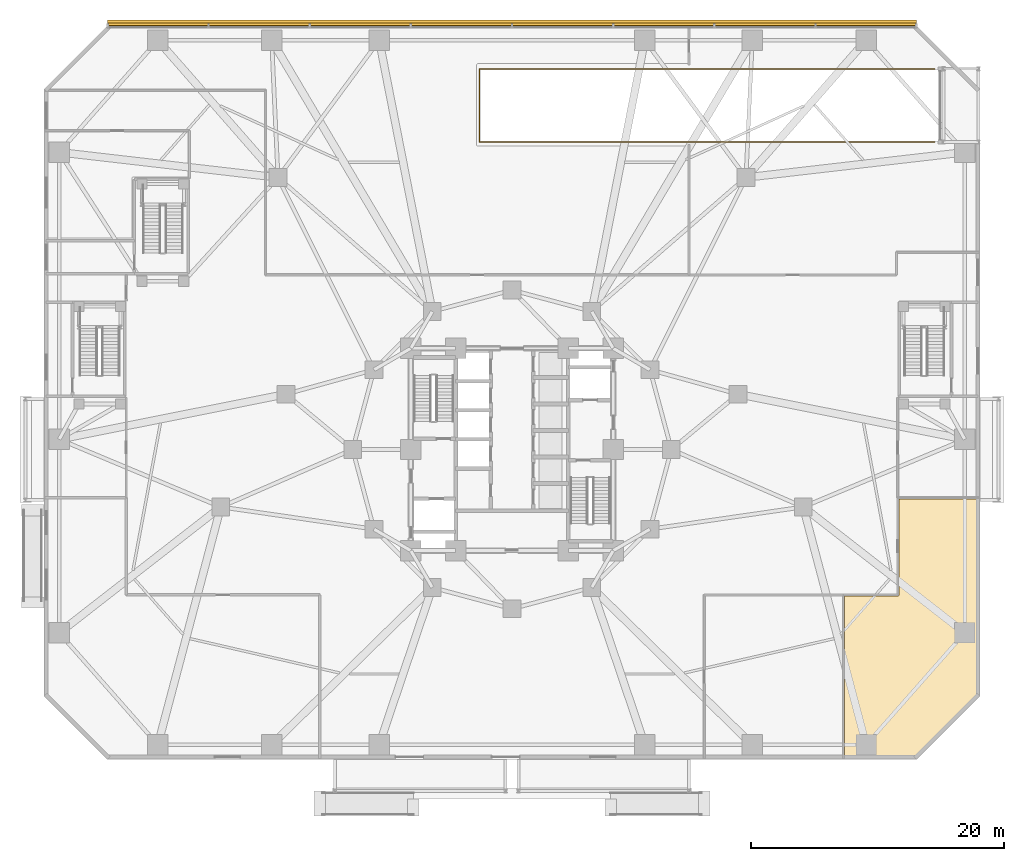
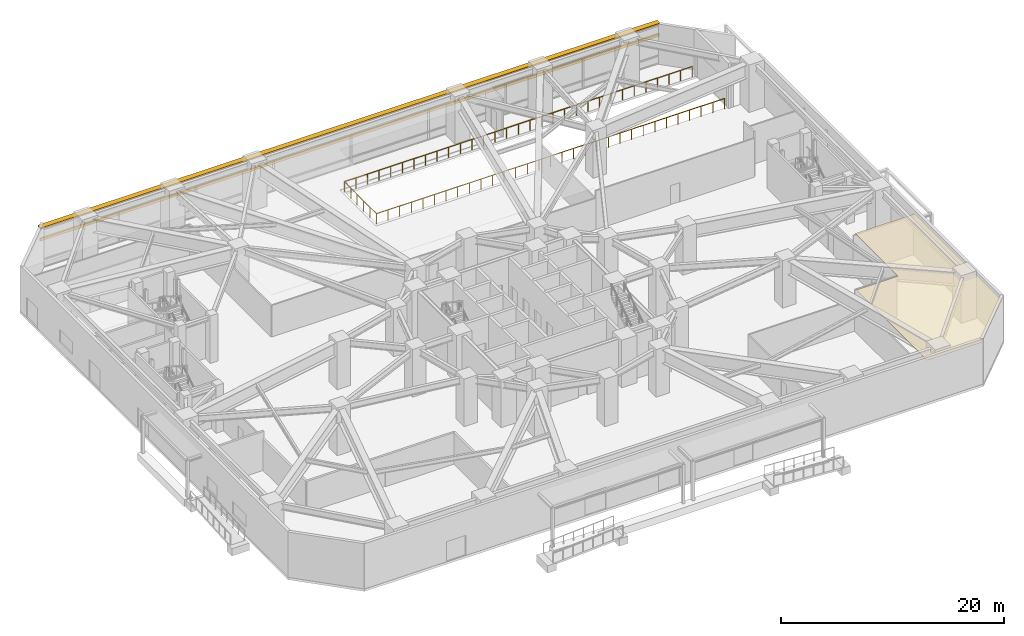
# One storey, part 28 of 30: 2 shading devices, 1 covering, 1 railing.
"""IFC4 building model written with IfcOpenShell, lengths in metres."""

import ifcopenshell
import ifcopenshell.guid

model = None  # the IFC model being written
_history = None  # IfcOwnerHistory: only IFC2X3 demands one
_inside = {}  # id of a spatial element -> (the spatial element, [elements in it])
_under = {}  # id of a project, library or spatial element -> (it, [spatial elements below it])
_declared = {}  # id of a project -> (the project, [libraries it declares])
_typed = {}  # id of a type object -> (the type object, [elements of that type])
_made_of = {}  # id of a material, layer set ... -> (it, [elements and type objects made of it])


def new_model(schema):
    """Start an empty IFC model of exactly this schema.

    Asked for "IFC4X3", IfcOpenShell would pick the latest addendum, in which some entities
    have other attributes; the version numbers below select the first issue.
    IFC2X3 requires an IfcOwnerHistory on every rooted entity: one is made here for all.
    """
    global model, _history
    if schema == "IFC4X3":
        model = ifcopenshell.file(schema_version=(4, 3, 0, 0))
    else:
        model = ifcopenshell.file(schema=schema)
    _inside.clear()
    _under.clear()
    _declared.clear()
    _typed.clear()
    _made_of.clear()
    _history = None
    if model.schema == "IFC2X3":
        org = make("IfcOrganization", Name="unknown")
        user = make(
            "IfcPersonAndOrganization",
            ThePerson=make("IfcPerson", FamilyName="unknown"),
            TheOrganization=org,
        )
        app = make(
            "IfcApplication",
            ApplicationDeveloper=org,
            Version="unknown",
            ApplicationFullName="unknown",
            ApplicationIdentifier="unknown",
        )
        _history = make(
            "IfcOwnerHistory",
            OwningUser=user,
            OwningApplication=app,
            ChangeAction="ADDED",
            CreationDate=0,
        )
    return model


def make(cls, **values):
    """One entity of the class cls with the attributes given. An attribute that is None is left unset."""
    return model.create_entity(
        cls, **{name: value for name, value in values.items() if value is not None}
    )


def rooted(cls, **values):
    """An entity with a GlobalId (a new one), such as an element, a storey or a relation."""
    return make(cls, GlobalId=ifcopenshell.guid.new(), OwnerHistory=_history, **values)


def si_unit(unit_type, name, prefix=None):
    """IfcSIUnit, for example si_unit("LENGTHUNIT", "METRE", prefix="MILLI")."""
    return make("IfcSIUnit", UnitType=unit_type, Prefix=prefix, Name=name)


def assignment(units):
    """IfcUnitAssignment: the units of a project."""
    return None if units is None else make("IfcUnitAssignment", Units=units)


def point(xyz):
    """IfcCartesianPoint."""
    return None if xyz is None else make("IfcCartesianPoint", Coordinates=xyz)


def direction(xyz):
    """IfcDirection."""
    return None if xyz is None else make("IfcDirection", DirectionRatios=xyz)


def frame(location, z_axis=None, x_axis=None):
    """IfcAxis2Placement3D, a coordinate frame: its origin and axes. An axis left out is left unset."""
    return make(
        "IfcAxis2Placement3D",
        Location=point(location),
        Axis=direction(z_axis),
        RefDirection=direction(x_axis),
    )


def frame_2d(location, x_axis=None):
    """IfcAxis2Placement2D, a coordinate frame in the plane: its origin and x axis."""
    return make(
        "IfcAxis2Placement2D", Location=point(location), RefDirection=direction(x_axis)
    )


def origin():
    """The frame at (0, 0, 0) with its axes left unset."""
    return frame((0.0, 0.0, 0.0))


def origin_2d():
    """The frame at (0, 0) in the plane with its x axis left unset."""
    return frame_2d((0.0, 0.0))


def place(relative_to, where):
    """IfcLocalPlacement: puts the frame where relative to a parent placement (None: the world)."""
    return make(
        "IfcLocalPlacement", PlacementRelTo=relative_to, RelativePlacement=where
    )


def context(
    kind, dimensions, precision=None, world=None, true_north=None, identifier=None
):
    """IfcGeometricRepresentationContext, for example the 3D "Model" context."""
    return make(
        "IfcGeometricRepresentationContext",
        ContextIdentifier=identifier,
        ContextType=kind,
        CoordinateSpaceDimension=dimensions,
        Precision=precision,
        WorldCoordinateSystem=world,
        TrueNorth=true_north,
    )


def subcontext(parent, identifier, kind, view, scale=None):
    """IfcGeometricRepresentationSubContext, for example "Body" below "Model"."""
    return make(
        "IfcGeometricRepresentationSubContext",
        ContextIdentifier=identifier,
        ContextType=kind,
        ParentContext=parent,
        TargetScale=scale,
        TargetView=view,
    )


def project(units=None, contexts=None):
    """IfcProject with its units and contexts."""
    return rooted(
        "IfcProject",
        Name="project",
        RepresentationContexts=contexts,
        UnitsInContext=assignment(units),
    )


def spatial(cls, under=None, at=None, **own):
    """A site, building, storey or space (cls), placed at a placement, below another one or the project."""
    s = rooted(cls, ObjectPlacement=at, **own)
    if under is not None:
        _under.setdefault(under.id(), (under, []))[1].append(s)
    return s


def polyline(points):
    """IfcPolyline through the points."""
    return make("IfcPolyline", Points=[point(p) for p in points])


def profile(cls, at=None, kind="AREA", **sizes):
    """A parametric profile (cls). Its sizes go by their IFC names, for example OverallWidth=200.0."""
    return make(cls, ProfileType=kind, Position=at, **sizes)


def rectangle(**sizes):
    """IfcRectangleProfileDef."""
    return profile("IfcRectangleProfileDef", **sizes)


def circle(**sizes):
    """IfcCircleProfileDef."""
    return profile("IfcCircleProfileDef", **sizes)


def outline(outer, holes=None, kind="AREA"):
    """IfcArbitraryClosedProfileDef: a profile drawn as a closed curve; with holes, ...WithVoids."""
    if holes is None:
        return make("IfcArbitraryClosedProfileDef", ProfileType=kind, OuterCurve=outer)
    return make(
        "IfcArbitraryProfileDefWithVoids",
        ProfileType=kind,
        OuterCurve=outer,
        InnerCurves=holes,
    )


def extrude(swept, where, along, depth):
    """IfcExtrudedAreaSolid: the profile swept, set in the frame where, extruded along a direction by depth."""
    return make(
        "IfcExtrudedAreaSolid",
        SweptArea=swept,
        Position=where,
        ExtrudedDirection=direction(along),
        Depth=depth,
    )


def shape(context_of_items, identifier, shape_type, items):
    """IfcShapeRepresentation: the items that make up one representation, for example the "Body"."""
    return make(
        "IfcShapeRepresentation",
        ContextOfItems=context_of_items,
        RepresentationIdentifier=identifier,
        RepresentationType=shape_type,
        Items=items,
    )


def material(Name=None, Category=None):
    """IfcMaterial."""
    return make("IfcMaterial", Name=Name, Category=Category)


def layer(
    of_material, thickness, ventilated=None, Name=None, Category=None, Priority=None
):
    """IfcMaterialLayer: one layer of a wall or slab, of a material (None: an air gap)."""
    return make(
        "IfcMaterialLayer",
        Material=of_material,
        LayerThickness=thickness,
        IsVentilated=ventilated,
        Name=Name,
        Category=Category,
        Priority=Priority,
    )


def layer_set(layers, Name=None):
    """IfcMaterialLayerSet."""
    return make("IfcMaterialLayerSet", MaterialLayers=layers, LayerSetName=Name)


def made_of(thing, what):
    """Note that an element or type object is made of a material, layer set ...; save() writes the relation."""
    if what is not None:
        _made_of.setdefault(what.id(), (what, []))[1].append(thing)
    return thing


def type_object(cls, material=None, **own):
    """A type object (cls), such as IfcWallType, which elements share."""
    return made_of(rooted(cls, **own), material)


def element(
    cls,
    number,
    at=None,
    inside=None,
    cuts=None,
    type_object=None,
    material=None,
    context=None,
    identifier="Body",
    shape_type=None,
    held_by="IfcProductDefinitionShape",
    body=None,
    shapes=None,
    **own,
):
    """One element of the class cls, such as IfcWall. Its Tag is "e" and its number.

    at: its placement. inside: the storey or other place that contains it. cuts: it is an
    opening in that element (IfcRelVoidsElement). A single representation is given by context,
    identifier, shape_type and body (its items); several are given by shapes. held_by: the class
    of the entity that holds the representations. save() writes the other relations.
    """
    e = rooted(cls, Tag="e%d" % number, ObjectPlacement=at, **own)
    if body is not None:
        shapes = [shape(context, identifier, shape_type, body)]
    if shapes is not None:
        e.Representation = make(held_by, Representations=shapes)
    if inside is not None:
        _inside.setdefault(inside.id(), (inside, []))[1].append(e)
    if cuts is not None:
        rooted(
            "IfcRelVoidsElement", RelatingBuildingElement=cuts, RelatedOpeningElement=e
        )
    if type_object is not None:
        _typed.setdefault(type_object.id(), (type_object, []))[1].append(e)
    return made_of(e, material)


def aggregate(whole, parts):
    """IfcRelAggregates: a whole, such as a stair, and the parts it consists of."""
    return rooted("IfcRelAggregates", RelatingObject=whole, RelatedObjects=parts)


def save(model, path):
    """Write the relations noted so far, then the file.

    IfcRelAggregates (storeys below a building ...), IfcRelContainedInSpatialStructure (elements
    in a storey), IfcRelDefinesByType, IfcRelAssociatesMaterial and IfcRelDeclares: one each for
    every whole, place, type object, material and project.
    """
    for whole, parts in _under.values():
        aggregate(whole, parts)
    for where, things in _inside.values():
        rooted(
            "IfcRelContainedInSpatialStructure",
            RelatedElements=things,
            RelatingStructure=where,
        )
    for kind, things in _typed.values():
        rooted("IfcRelDefinesByType", RelatedObjects=things, RelatingType=kind)
    for what, things in _made_of.values():
        rooted("IfcRelAssociatesMaterial", RelatedObjects=things, RelatingMaterial=what)
    for by, libraries in _declared.values():
        rooted("IfcRelDeclares", RelatingContext=by, RelatedDefinitions=libraries)
    model.write(path)


model = new_model("IFC4")

# Units and contexts
model_context = context("Model", 3, precision=1e-05, world=origin(), true_north=direction((0.0, 1.0)))
body_context = subcontext(model_context, "Body", "Model", "MODEL_VIEW")
ifc_project = project(units=[si_unit("LENGTHUNIT", "METRE"), si_unit("AREAUNIT", "SQUARE_METRE"), si_unit("VOLUMEUNIT", "CUBIC_METRE"), si_unit("PLANEANGLEUNIT", "RADIAN"), si_unit("MASSUNIT", "GRAM", prefix="KILO")], contexts=[model_context])

# Site, building, storey
site_placement = place(None, origin())
site = spatial("IfcSite", under=ifc_project, at=site_placement, CompositionType="ELEMENT")
building_placement = place(site_placement, origin())
building = spatial("IfcBuilding", under=site, at=building_placement, Name="Terralouvre Media Tower", CompositionType="ELEMENT")
storey_placement = place(building_placement, origin())
storey = spatial("IfcBuildingStorey", under=building, at=storey_placement, Name="L00", CompositionType="ELEMENT", Elevation=0.0)

# Covering
ifc_material_1 = material(Name="Perforated aluminium acoustic ceiling baffle", Category="aluminium")
ifc_layer_1 = layer(ifc_material_1, 0.0400390625, Name="Perforated Acoustic Metal Tile Ceiling CL-AC1")
ifc_layer_set_1 = layer_set([ifc_layer_1], Name="Perforated aluminium acoustic ceiling baffle")
covering_type = type_object("IfcCoveringType", Name="Perforated Acoustic Metal Tile Ceiling CL-AC1", PredefinedType="CEILING", material=ifc_layer_set_1)
covering_placement = place(storey_placement, frame((0.0, 0.0, 4.429931640625)))
element("IfcCovering", 1, at=covering_placement, inside=storey, type_object=covering_type, Name="L00 Broadcast Boulevard Cafe Kitchen Acoustic Ceiling", PredefinedType="CEILING", context=body_context, shape_type="SweptSolid", body=[
    extrude(outline(polyline([(36.780029296875, -3.89990234375), (30.60009765625, -3.89990234375), (30.60009765625, -11.5), (30.599609375, -11.509765625), (30.59814453125, -11.51953125), (30.595703125, -11.529052734375), (30.59228515625, -11.538330078125), (30.588134765625, -11.547119140625), (30.5830078125, -11.5556640625), (30.577392578125, -11.5634765625), (30.57080078125, -11.57080078125), (30.5634765625, -11.577392578125), (30.5556640625, -11.5830078125), (30.547119140625, -11.588134765625), (30.538330078125, -11.59228515625), (30.529052734375, -11.595703125), (30.51953125, -11.59814453125), (30.509765625, -11.599609375), (30.5, -11.60009765625), (26.300048828125, -11.60009765625), (26.300048828125, -24.280029296875), (31.90869140625, -24.280029296875), (36.780029296875, -19.40869140625), (36.780029296875, -3.89990234375)])), origin(), (0.0, 0.0, 1.0), 0.0400390625),
])

# Shading device
ifc_material_2 = material(Name="Extruded terracotta baguette sunshade louvres", Category="masonry")
shading_device_type_1 = type_object("IfcShadingDeviceType", Name="Podium Deep Terracotta Sunshade Canopy Blade TB-SH1", PredefinedType="USERDEFINED", material=ifc_material_2)
shading_device_1_placement = place(storey_placement, frame((0.0, 33.679931640625, 4.18994140625), z_axis=(0.0, 0.0, 1.0), x_axis=(-1.0, 0.0, 0.0)))
element("IfcShadingDevice", 2, at=shading_device_1_placement, inside=storey, type_object=shading_device_type_1, Name="L00 Podium Deep Sunshade Blade F4", ObjectType="SUNSHADE", PredefinedType="USERDEFINED", context=body_context, shape_type="SweptSolid", body=[
    extrude(rectangle(XDim=64.0, YDim=0.550048828125, at=origin_2d()), origin(), (0.0, 0.0, 1.0), 0.159912109375),
])

# Railing
ifc_material_3 = material(Name="Stainless steel 316 handrail and balustrade", Category="steel")
ifc_layer_2 = layer(ifc_material_3, 0.06005859375, Name="Roof Edge Safety Guardrail GR-ROOF1")
ifc_layer_set_2 = layer_set([ifc_layer_2], Name="Stainless steel 316 handrail and balustrade")
railing_type = type_object("IfcRailingType", Name="Roof Edge Safety Guardrail GR-ROOF1", PredefinedType="GUARDRAIL", material=ifc_layer_set_2)
railing_placement = place(storey_placement, frame((33.39990234375, 24.320068359375, 0.0)))
element("IfcRailing", 3, at=railing_placement, inside=storey, type_object=railing_type, Name="L00 Vehicle Ramp Opening Deck Guard", PredefinedType="GUARDRAIL", context=body_context, shape_type="SweptSolid", body=[
    extrude(circle(Radius=0.02392578125, at=origin_2d()), frame((0.0, 0.0, 1.1259765625), z_axis=(-1.0, 0.0, 0.0), x_axis=(0.0, -1.0, 0.0)), (0.0, 0.0, 1.0), 35.9599609375),
    extrude(circle(Radius=0.02392578125, at=origin_2d()), frame((-35.9599609375, 0.0, 1.1259765625), z_axis=(0.0, 1.0, 0.0), x_axis=(-1.0, 0.0, 0.0)), (0.0, 0.0, 1.0), 5.760009765625),
    extrude(circle(Radius=0.02392578125, at=origin_2d()), frame((-35.9599609375, 5.760009765625, 1.1259765625), z_axis=(1.0, 0.0, 0.0), x_axis=(0.0, 1.0, 0.0)), (0.0, 0.0, 1.0), 35.9599609375),
    extrude(circle(Radius=0.02099609375, at=origin_2d()), origin(), (0.0, 0.0, 1.0), 1.101806640625),
    extrude(circle(Radius=0.02099609375, at=origin_2d()), frame((-1.19873046875, 0.0, 0.0)), (0.0, 0.0, 1.0), 1.101806640625),
    extrude(circle(Radius=0.02099609375, at=origin_2d()), frame((-2.397216796875, 0.0, 0.0)), (0.0, 0.0, 1.0), 1.101806640625),
    extrude(circle(Radius=0.02099609375, at=origin_2d()), frame((-3.595947265625, 0.0, 0.0)), (0.0, 0.0, 1.0), 1.101806640625),
    extrude(circle(Radius=0.02099609375, at=origin_2d()), frame((-4.794677734375, 0.0, 0.0)), (0.0, 0.0, 1.0), 1.101806640625),
    extrude(circle(Radius=0.02099609375, at=origin_2d()), frame((-5.993408203125, 0.0, 0.0)), (0.0, 0.0, 1.0), 1.101806640625),
    extrude(circle(Radius=0.02099609375, at=origin_2d()), frame((-7.19189453125, 0.0, 0.0)), (0.0, 0.0, 1.0), 1.101806640625),
    extrude(circle(Radius=0.02099609375, at=origin_2d()), frame((-8.390625, 0.0, 0.0)), (0.0, 0.0, 1.0), 1.101806640625),
    extrude(circle(Radius=0.02099609375, at=origin_2d()), frame((-9.58935546875, 0.0, 0.0)), (0.0, 0.0, 1.0), 1.101806640625),
    extrude(circle(Radius=0.02099609375, at=origin_2d()), frame((-10.7880859375, 0.0, 0.0)), (0.0, 0.0, 1.0), 1.101806640625),
    extrude(circle(Radius=0.02099609375, at=origin_2d()), frame((-11.986572265625, 0.0, 0.0)), (0.0, 0.0, 1.0), 1.101806640625),
    extrude(circle(Radius=0.02099609375, at=origin_2d()), frame((-13.185302734375, 0.0, 0.0)), (0.0, 0.0, 1.0), 1.101806640625),
    extrude(circle(Radius=0.02099609375, at=origin_2d()), frame((-14.384033203125, 0.0, 0.0)), (0.0, 0.0, 1.0), 1.101806640625),
    extrude(circle(Radius=0.02099609375, at=origin_2d()), frame((-15.582763671875, 0.0, 0.0)), (0.0, 0.0, 1.0), 1.101806640625),
    extrude(circle(Radius=0.02099609375, at=origin_2d()), frame((-16.78125, 0.0, 0.0)), (0.0, 0.0, 1.0), 1.101806640625),
    extrude(circle(Radius=0.02099609375, at=origin_2d()), frame((-17.97998046875, 0.0, 0.0)), (0.0, 0.0, 1.0), 1.101806640625),
    extrude(circle(Radius=0.02099609375, at=origin_2d()), frame((-19.1787109375, 0.0, 0.0)), (0.0, 0.0, 1.0), 1.101806640625),
    extrude(circle(Radius=0.02099609375, at=origin_2d()), frame((-20.377197265625, 0.0, 0.0)), (0.0, 0.0, 1.0), 1.101806640625),
    extrude(circle(Radius=0.02099609375, at=origin_2d()), frame((-21.575927734375, 0.0, 0.0)), (0.0, 0.0, 1.0), 1.101806640625),
    extrude(circle(Radius=0.02099609375, at=origin_2d()), frame((-22.774658203125, 0.0, 0.0)), (0.0, 0.0, 1.0), 1.101806640625),
    extrude(circle(Radius=0.02099609375, at=origin_2d()), frame((-23.973388671875, 0.0, 0.0)), (0.0, 0.0, 1.0), 1.101806640625),
    extrude(circle(Radius=0.02099609375, at=origin_2d()), frame((-25.171875, 0.0, 0.0)), (0.0, 0.0, 1.0), 1.101806640625),
    extrude(circle(Radius=0.02099609375, at=origin_2d()), frame((-26.37060546875, 0.0, 0.0)), (0.0, 0.0, 1.0), 1.101806640625),
    extrude(circle(Radius=0.02099609375, at=origin_2d()), frame((-27.5693359375, 0.0, 0.0)), (0.0, 0.0, 1.0), 1.101806640625),
    extrude(circle(Radius=0.02099609375, at=origin_2d()), frame((-28.76806640625, 0.0, 0.0)), (0.0, 0.0, 1.0), 1.101806640625),
    extrude(circle(Radius=0.02099609375, at=origin_2d()), frame((-29.966552734375, 0.0, 0.0)), (0.0, 0.0, 1.0), 1.101806640625),
    extrude(circle(Radius=0.02099609375, at=origin_2d()), frame((-31.165283203125, 0.0, 0.0)), (0.0, 0.0, 1.0), 1.101806640625),
    extrude(circle(Radius=0.02099609375, at=origin_2d()), frame((-32.364013671875, 0.0, 0.0)), (0.0, 0.0, 1.0), 1.101806640625),
    extrude(circle(Radius=0.02099609375, at=origin_2d()), frame((-33.562744140625, 0.0, 0.0)), (0.0, 0.0, 1.0), 1.101806640625),
    extrude(circle(Radius=0.02099609375, at=origin_2d()), frame((-34.76123046875, 0.0, 0.0)), (0.0, 0.0, 1.0), 1.101806640625),
    extrude(circle(Radius=0.02099609375, at=origin_2d()), frame((-35.9599609375, 0.0, 0.0)), (0.0, 0.0, 1.0), 1.101806640625),
    extrude(circle(Radius=0.02099609375, at=origin_2d()), frame((-35.9599609375, 1.152099609375, 0.0)), (0.0, 0.0, 1.0), 1.101806640625),
    extrude(circle(Radius=0.02099609375, at=origin_2d()), frame((-35.9599609375, 2.303955078125, 0.0)), (0.0, 0.0, 1.0), 1.101806640625),
    extrude(circle(Radius=0.02099609375, at=origin_2d()), frame((-35.9599609375, 3.4560546875, 0.0)), (0.0, 0.0, 1.0), 1.101806640625),
    extrude(circle(Radius=0.02099609375, at=origin_2d()), frame((-35.9599609375, 4.60791015625, 0.0)), (0.0, 0.0, 1.0), 1.101806640625),
    extrude(circle(Radius=0.02099609375, at=origin_2d()), frame((-35.9599609375, 5.760009765625, 0.0)), (0.0, 0.0, 1.0), 1.101806640625),
    extrude(circle(Radius=0.02099609375, at=origin_2d()), frame((-34.76123046875, 5.760009765625, 0.0)), (0.0, 0.0, 1.0), 1.101806640625),
    extrude(circle(Radius=0.02099609375, at=origin_2d()), frame((-33.562744140625, 5.760009765625, 0.0)), (0.0, 0.0, 1.0), 1.101806640625),
    extrude(circle(Radius=0.02099609375, at=origin_2d()), frame((-32.364013671875, 5.760009765625, 0.0)), (0.0, 0.0, 1.0), 1.101806640625),
    extrude(circle(Radius=0.02099609375, at=origin_2d()), frame((-31.165283203125, 5.760009765625, 0.0)), (0.0, 0.0, 1.0), 1.101806640625),
    extrude(circle(Radius=0.02099609375, at=origin_2d()), frame((-29.966552734375, 5.760009765625, 0.0)), (0.0, 0.0, 1.0), 1.101806640625),
    extrude(circle(Radius=0.02099609375, at=origin_2d()), frame((-28.76806640625, 5.760009765625, 0.0)), (0.0, 0.0, 1.0), 1.101806640625),
    extrude(circle(Radius=0.02099609375, at=origin_2d()), frame((-27.5693359375, 5.760009765625, 0.0)), (0.0, 0.0, 1.0), 1.101806640625),
    extrude(circle(Radius=0.02099609375, at=origin_2d()), frame((-26.37060546875, 5.760009765625, 0.0)), (0.0, 0.0, 1.0), 1.101806640625),
    extrude(circle(Radius=0.02099609375, at=origin_2d()), frame((-25.171875, 5.760009765625, 0.0)), (0.0, 0.0, 1.0), 1.101806640625),
    extrude(circle(Radius=0.02099609375, at=origin_2d()), frame((-23.973388671875, 5.760009765625, 0.0)), (0.0, 0.0, 1.0), 1.101806640625),
    extrude(circle(Radius=0.02099609375, at=origin_2d()), frame((-22.774658203125, 5.760009765625, 0.0)), (0.0, 0.0, 1.0), 1.101806640625),
    extrude(circle(Radius=0.02099609375, at=origin_2d()), frame((-21.575927734375, 5.760009765625, 0.0)), (0.0, 0.0, 1.0), 1.101806640625),
    extrude(circle(Radius=0.02099609375, at=origin_2d()), frame((-20.377197265625, 5.760009765625, 0.0)), (0.0, 0.0, 1.0), 1.101806640625),
    extrude(circle(Radius=0.02099609375, at=origin_2d()), frame((-19.1787109375, 5.760009765625, 0.0)), (0.0, 0.0, 1.0), 1.101806640625),
    extrude(circle(Radius=0.02099609375, at=origin_2d()), frame((-17.97998046875, 5.760009765625, 0.0)), (0.0, 0.0, 1.0), 1.101806640625),
    extrude(circle(Radius=0.02099609375, at=origin_2d()), frame((-16.78125, 5.760009765625, 0.0)), (0.0, 0.0, 1.0), 1.101806640625),
    extrude(circle(Radius=0.02099609375, at=origin_2d()), frame((-15.582763671875, 5.760009765625, 0.0)), (0.0, 0.0, 1.0), 1.101806640625),
    extrude(circle(Radius=0.02099609375, at=origin_2d()), frame((-14.384033203125, 5.760009765625, 0.0)), (0.0, 0.0, 1.0), 1.101806640625),
    extrude(circle(Radius=0.02099609375, at=origin_2d()), frame((-13.185302734375, 5.760009765625, 0.0)), (0.0, 0.0, 1.0), 1.101806640625),
    extrude(circle(Radius=0.02099609375, at=origin_2d()), frame((-11.986572265625, 5.760009765625, 0.0)), (0.0, 0.0, 1.0), 1.101806640625),
    extrude(circle(Radius=0.02099609375, at=origin_2d()), frame((-10.7880859375, 5.760009765625, 0.0)), (0.0, 0.0, 1.0), 1.101806640625),
    extrude(circle(Radius=0.02099609375, at=origin_2d()), frame((-9.58935546875, 5.760009765625, 0.0)), (0.0, 0.0, 1.0), 1.101806640625),
    extrude(circle(Radius=0.02099609375, at=origin_2d()), frame((-8.390625, 5.760009765625, 0.0)), (0.0, 0.0, 1.0), 1.101806640625),
    extrude(circle(Radius=0.02099609375, at=origin_2d()), frame((-7.19189453125, 5.760009765625, 0.0)), (0.0, 0.0, 1.0), 1.101806640625),
    extrude(circle(Radius=0.02099609375, at=origin_2d()), frame((-5.993408203125, 5.760009765625, 0.0)), (0.0, 0.0, 1.0), 1.101806640625),
    extrude(circle(Radius=0.02099609375, at=origin_2d()), frame((-4.794677734375, 5.760009765625, 0.0)), (0.0, 0.0, 1.0), 1.101806640625),
    extrude(circle(Radius=0.02099609375, at=origin_2d()), frame((-3.595947265625, 5.760009765625, 0.0)), (0.0, 0.0, 1.0), 1.101806640625),
    extrude(circle(Radius=0.02099609375, at=origin_2d()), frame((-2.397216796875, 5.760009765625, 0.0)), (0.0, 0.0, 1.0), 1.101806640625),
    extrude(circle(Radius=0.02099609375, at=origin_2d()), frame((-1.19873046875, 5.760009765625, 0.0)), (0.0, 0.0, 1.0), 1.101806640625),
    extrude(circle(Radius=0.02099609375, at=origin_2d()), frame((0.0, 5.760009765625, 0.0)), (0.0, 0.0, 1.0), 1.101806640625),
])

# Shading device
ifc_material_4 = material(Name="Extruded terracotta baguette sunshade louvres", Category="masonry")
shading_device_type_2 = type_object("IfcShadingDeviceType", Name="Terracotta Baguette Sunshade Louvre Screen TB-LV1", PredefinedType="USERDEFINED", material=ifc_material_4)
shading_device_2_placement = place(storey_placement, frame((0.0, 33.6201171875, 2.82470703125), z_axis=(0.0, 0.0, 1.0), x_axis=(-1.0, 0.0, 0.0)))
element("IfcShadingDevice", 4, at=shading_device_2_placement, inside=storey, type_object=shading_device_type_2, Name="CW-L00-F4 Terracotta Baguette Sunshade Louvre", ObjectType="BAGUETTE", PredefinedType="USERDEFINED", context=body_context, shape_type="SweptSolid", body=[
    extrude(rectangle(XDim=64.0, YDim=0.179931640625, at=origin_2d()), origin(), (0.0, 0.0, 1.0), 0.280029296875),
])

save(model, "model.ifc")
